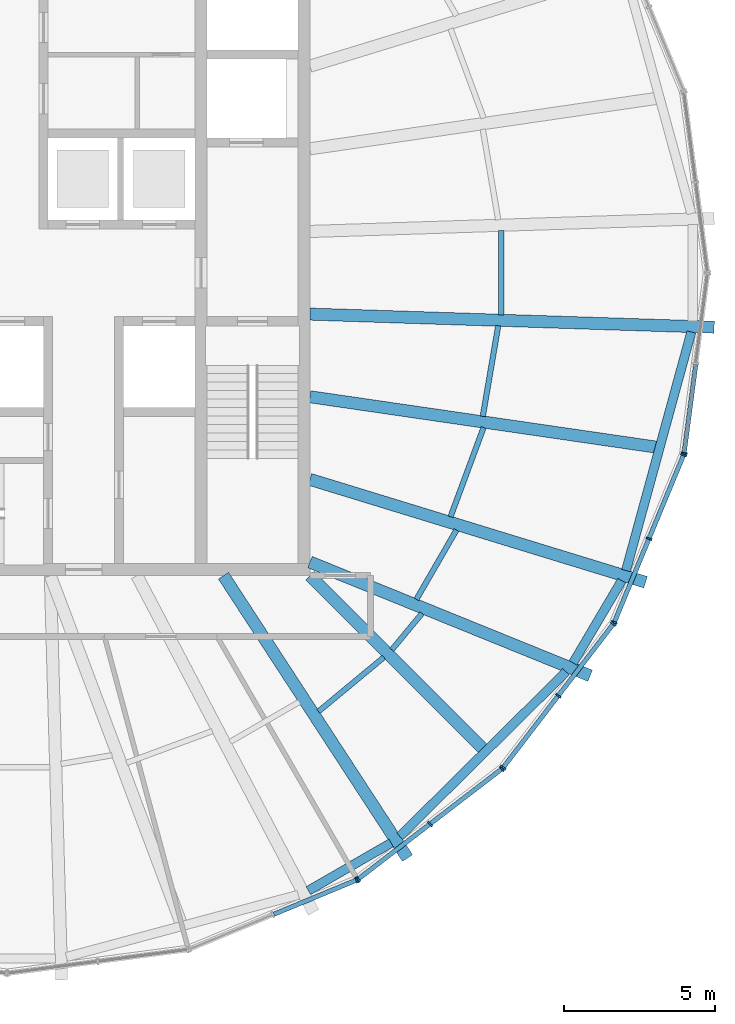
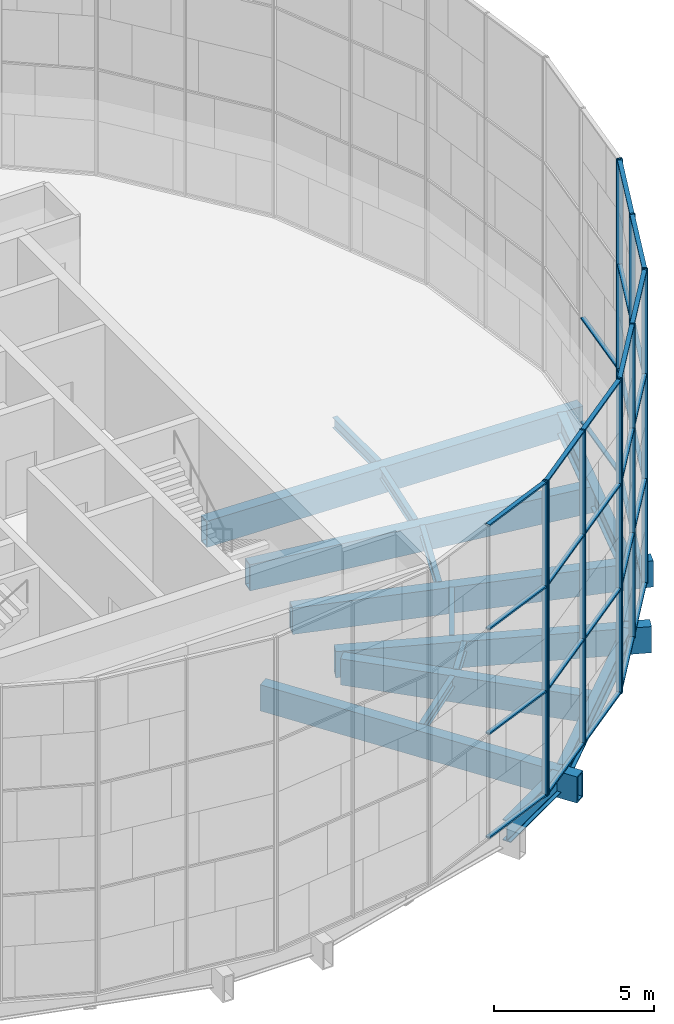
# One storey, part 4 of 23: 41 members, 16 beams, 5 elements without a shape of their own.
"""IFC4 building model written with IfcOpenShell, lengths in metres."""

from ifc_helpers import new_model, si_unit, direction, frame, origin, origin_2d, place, context, subcontext, project, spatial, rectangle, hollow_rectangle, i_section, extrude, material, material_profile, profile_set, type_object, element, aggregate, save


model = new_model("IFC4")

# Units and contexts
model_context = context("Model", 3, precision=1e-05, world=origin(), true_north=direction((0.0, 1.0)))
body_context = subcontext(model_context, "Body", "Model", "MODEL_VIEW")
ifc_project = project(units=[si_unit("LENGTHUNIT", "METRE"), si_unit("AREAUNIT", "SQUARE_METRE"), si_unit("VOLUMEUNIT", "CUBIC_METRE"), si_unit("PLANEANGLEUNIT", "RADIAN"), si_unit("MASSUNIT", "GRAM", prefix="KILO")], contexts=[model_context])

# Site, building, storey
site_placement = place(None, origin())
site = spatial("IfcSite", under=ifc_project, at=site_placement, CompositionType="ELEMENT")
building_placement = place(site_placement, origin())
building = spatial("IfcBuilding", under=site, at=building_placement, Name="Golbaran Civic Tower", CompositionType="ELEMENT")
storey_placement = place(building_placement, frame((0.0, 0.0, 220.0)))
storey = spatial("IfcBuildingStorey", under=building, at=storey_placement, Name="L53", CompositionType="ELEMENT", Elevation=220.0)

# Beams
ifc_material_1 = material(Name="Steel S355", Category="steel")
ifc_material_profile_1 = material_profile(ifc_material_1, i_section(OverallWidth=0.300048828125, OverallDepth=0.800048828125, WebThickness=0.017578125, FlangeThickness=0.032958984375, FilletRadius=0.030029296875, at=origin_2d()), Name="HEB 800")
ifc_profile_set_1 = profile_set([ifc_material_profile_1], Name="Steel S355")
beam_type_1 = type_object("IfcBeamType", Name="EDGE BEAM HEB 800", PredefinedType="BEAM", material=ifc_profile_set_1)
beam_1_placement = place(storey_placement, frame((9.946044921875, -20.39697265625, -0.60009765625), z_axis=(0.866234572261, 0.499637534438, 0.0), x_axis=(-0.499637534438, 0.866234572261, 0.0)))
element("IfcBeam", 1, at=beam_1_placement, inside=storey, type_object=beam_type_1, Name="Edge beam 295.65 L53", PredefinedType="BEAM", context=body_context, shape_type="SweptSolid", body=[
    extrude(i_section(OverallWidth=0.300048828125, OverallDepth=0.800048828125, WebThickness=0.017578125, FlangeThickness=0.032958984375, FilletRadius=0.030029296875, at=origin_2d()), origin(), (0.0, 0.0, 1.0), 3.152587890625),
])
beam_2_placement = place(storey_placement, frame((12.963623046875, -18.6025390625, -0.60009765625), z_axis=(0.710954638033, 0.703237870609, 0.0), x_axis=(-0.703237870609, 0.710954638033, 0.0)))
element("IfcBeam", 2, at=beam_2_placement, inside=storey, type_object=beam_type_1, Name="Edge beam 304.35 L53", PredefinedType="BEAM", context=body_context, shape_type="SweptSolid", body=[
    extrude(i_section(OverallWidth=0.300048828125, OverallDepth=0.800048828125, WebThickness=0.017578125, FlangeThickness=0.032958984375, FilletRadius=0.030029296875, at=origin_2d()), origin(), (0.0, 0.0, 1.0), 7.719482421875),
])
beam_3_placement = place(storey_placement, frame((18.683837890625, -12.87939453125, -0.60009765625), z_axis=(0.508797064338, 0.860886489219, 0.0), x_axis=(-0.860886489219, 0.508797064338, 0.0)))
element("IfcBeam", 3, at=beam_3_placement, inside=storey, type_object=beam_type_1, Name="Edge beam 325.65 L53", PredefinedType="BEAM", context=body_context, shape_type="SweptSolid", body=[
    extrude(i_section(OverallWidth=0.300048828125, OverallDepth=0.800048828125, WebThickness=0.017578125, FlangeThickness=0.032958984375, FilletRadius=0.030029296875, at=origin_2d()), origin(), (0.0, 0.0, 1.0), 3.156494140625),
])
beam_4_placement = place(storey_placement, frame((20.431640625, -9.8291015625, -0.60009765625), z_axis=(0.264038175498, 0.964512230031, 0.0), x_axis=(-0.964512230031, 0.264038175498, 0.0)))
element("IfcBeam", 4, at=beam_4_placement, inside=storey, type_object=beam_type_1, Name="Edge beam 334.35 L53", PredefinedType="BEAM", context=body_context, shape_type="SweptSolid", body=[
    extrude(i_section(OverallWidth=0.300048828125, OverallDepth=0.800048828125, WebThickness=0.017578125, FlangeThickness=0.032958984375, FilletRadius=0.030029296875, at=origin_2d()), origin(), (0.0, 0.0, 1.0), 8.16552734375),
])
ifc_material_profile_2 = material_profile(ifc_material_1, i_section(OverallWidth=0.179931640625, OverallDepth=0.39990234375, WebThickness=0.008544921875, FlangeThickness=0.013427734375, FilletRadius=0.02099609375, at=origin_2d()), Name="IPE 400")
ifc_profile_set_2 = profile_set([ifc_material_profile_2], Name="Steel S355")
beam_type_2 = type_object("IfcBeamType", Name="FLOOR INFILL BEAM IPE 400", PredefinedType="BEAM", material=ifc_profile_set_2)
beam_5_placement = place(storey_placement, frame((10.279296875, -14.483154296875, -0.39990234375), z_axis=(0.769689102047, 0.638418895546, 0.0), x_axis=(-0.638418895546, 0.769689102047, 0.0)))
element("IfcBeam", 5, at=beam_5_placement, inside=storey, type_object=beam_type_2, Name="Infill beam 309.67 L53", PredefinedType="BEAM", context=body_context, shape_type="SweptSolid", body=[
    extrude(i_section(OverallWidth=0.179931640625, OverallDepth=0.39990234375, WebThickness=0.008544921875, FlangeThickness=0.013427734375, FilletRadius=0.02099609375, at=origin_2d()), origin(), (0.0, 0.0, 1.0), 2.8046875),
])
beam_6_placement = place(storey_placement, frame((12.70068359375, -12.446044921875, -0.39990234375), z_axis=(0.638367510065, 0.769731720857, 0.0), x_axis=(-0.769731720857, 0.638367510065, 0.0)))
element("IfcBeam", 6, at=beam_6_placement, inside=storey, type_object=beam_type_2, Name="Infill beam 320.33 L53", PredefinedType="BEAM", context=body_context, shape_type="SweptSolid", body=[
    extrude(i_section(OverallWidth=0.179931640625, OverallDepth=0.39990234375, WebThickness=0.008544921875, FlangeThickness=0.013427734375, FilletRadius=0.02099609375, at=origin_2d()), origin(), (0.0, 0.0, 1.0), 1.56103515625),
])
beam_7_placement = place(storey_placement, frame((13.5126953125, -10.781005859375, -0.39990234375), z_axis=(0.500031469177, 0.866007234284, 0.0), x_axis=(-0.866007234284, 0.500031469177, 0.0)))
element("IfcBeam", 7, at=beam_7_placement, inside=storey, type_object=beam_type_2, Name="Infill beam 330.00 L53", PredefinedType="BEAM", context=body_context, shape_type="SweptSolid", body=[
    extrude(i_section(OverallWidth=0.179931640625, OverallDepth=0.39990234375, WebThickness=0.008544921875, FlangeThickness=0.013427734375, FilletRadius=0.02099609375, at=origin_2d()), origin(), (0.0, 0.0, 1.0), 2.644287109375),
])
beam_8_placement = place(storey_placement, frame((14.6396484375, -8.0546875, -0.39990234375), z_axis=(0.347364974804, 0.9377300114, 0.0), x_axis=(-0.9377300114, 0.347364974804, 0.0)))
element("IfcBeam", 8, at=beam_8_placement, inside=storey, type_object=beam_type_2, Name="Infill beam 339.67 L53", PredefinedType="BEAM", context=body_context, shape_type="SweptSolid", body=[
    extrude(i_section(OverallWidth=0.179931640625, OverallDepth=0.39990234375, WebThickness=0.008544921875, FlangeThickness=0.013427734375, FilletRadius=0.02099609375, at=origin_2d()), origin(), (0.0, 0.0, 1.0), 3.1416015625),
])
beam_9_placement = place(storey_placement, frame((15.703857421875, -4.740966796875, -0.39990234375), z_axis=(0.168046948827, 0.985778992975, 0.0), x_axis=(-0.985778992975, 0.168046948827, 0.0)))
element("IfcBeam", 9, at=beam_9_placement, inside=storey, type_object=beam_type_2, Name="Infill beam 350.33 L53", PredefinedType="BEAM", context=body_context, shape_type="SweptSolid", body=[
    extrude(i_section(OverallWidth=0.179931640625, OverallDepth=0.39990234375, WebThickness=0.008544921875, FlangeThickness=0.013427734375, FilletRadius=0.02099609375, at=origin_2d()), origin(), (0.0, 0.0, 1.0), 3.037841796875),
])
beam_10_placement = place(storey_placement, frame((16.318359375, -1.389404296875, -0.39990234375), z_axis=(0.0, 1.0, 0.0), x_axis=(-1.0, 0.0, 0.0)))
element("IfcBeam", 10, at=beam_10_placement, inside=storey, type_object=beam_type_2, Name="Infill beam 0.00 L53", PredefinedType="BEAM", context=body_context, shape_type="SweptSolid", body=[
    extrude(i_section(OverallWidth=0.179931640625, OverallDepth=0.39990234375, WebThickness=0.008544921875, FlangeThickness=0.013427734375, FilletRadius=0.02099609375, at=origin_2d()), origin(), (0.0, 0.0, 1.0), 2.77880859375),
])

# Curtain wall, member
ifc_material_2 = material(Name="Aluminium and glass", Category="aluminium")
curtain_wall_type = type_object("IfcCurtainWallType", Name="INNER SKIN CURTAIN WALL EXECUTIVE", PredefinedType="NOTDEFINED", material=ifc_material_2)
curtain_wall_1_placement = place(storey_placement, origin())
curtain_wall_1 = element("IfcCurtainWall", 11, at=curtain_wall_1_placement, inside=storey, type_object=curtain_wall_type, Name="Inner skin L53 facet 20 CW2", ObjectType="INNER SKIN", PredefinedType="USERDEFINED")
ifc_material_3 = material(Name="Aluminium", Category="aluminium")
ifc_material_profile_3 = material_profile(ifc_material_3, rectangle(XDim=0.199951171875, YDim=0.06005859375, at=origin_2d()), Name="INNER SKIN CURTAIN WALL EXECUTIVE MULLION")
ifc_profile_set_3 = profile_set([ifc_material_profile_3], Name="Aluminium")
member_type_1 = type_object("IfcMemberType", Name="INNER SKIN CURTAIN WALL EXECUTIVE MULLION", PredefinedType="MULLION", material=ifc_profile_set_3)
member_1_placement = place(storey_placement, frame((11.539306640625, -20.046142578125, 0.0), z_axis=(0.0, 0.0, 1.0), x_axis=(-0.382683432317, 0.923879532531, 0.0)))
member_1 = element("IfcMember", 12, at=member_1_placement, type_object=member_type_1, Name="CW2 mullion 3", PredefinedType="MULLION", context=body_context, shape_type="SweptSolid", body=[
    extrude(rectangle(XDim=0.199951171875, YDim=0.06005859375, at=origin_2d()), origin(), (0.0, 0.0, 1.0), 12.0),
])

# Curtain wall, members
curtain_wall_2_placement = place(storey_placement, origin())
curtain_wall_2 = element("IfcCurtainWall", 13, at=curtain_wall_2_placement, inside=storey, type_object=curtain_wall_type, Name="Inner skin L53 facet 21 CW2", ObjectType="INNER SKIN", PredefinedType="USERDEFINED")
member_2_placement = place(storey_placement, frame((11.5908203125, -20.016357421875, 0.0), z_axis=(0.0, 0.0, 1.0), x_axis=(-0.608761428981, 0.793353340312, 0.0)))
member_2 = element("IfcMember", 14, at=member_2_placement, type_object=member_type_1, Name="CW2 mullion 1", PredefinedType="MULLION", context=body_context, shape_type="SweptSolid", body=[
    extrude(rectangle(XDim=0.199951171875, YDim=0.06005859375, at=origin_2d()), origin(), (0.0, 0.0, 1.0), 12.0),
])
member_3_placement = place(storey_placement, frame((13.962646484375, -18.196533203125, 0.0), z_axis=(0.0, 0.0, 1.0), x_axis=(-0.608761428981, 0.793353340312, 0.0)))
member_3 = element("IfcMember", 15, at=member_3_placement, type_object=member_type_1, Name="CW2 mullion 2", PredefinedType="MULLION", context=body_context, shape_type="SweptSolid", body=[
    extrude(rectangle(XDim=0.199951171875, YDim=0.06005859375, at=origin_2d()), origin(), (0.0, 0.0, 1.0), 12.0),
])
member_4_placement = place(storey_placement, frame((16.33447265625, -16.37646484375, 0.0), z_axis=(0.0, 0.0, 1.0), x_axis=(-0.608761428981, 0.793353340312, 0.0)))
member_4 = element("IfcMember", 16, at=member_4_placement, type_object=member_type_1, Name="CW2 mullion 3", PredefinedType="MULLION", context=body_context, shape_type="SweptSolid", body=[
    extrude(rectangle(XDim=0.199951171875, YDim=0.06005859375, at=origin_2d()), origin(), (0.0, 0.0, 1.0), 12.0),
])

curtain_wall_3_placement = place(storey_placement, origin())
curtain_wall_3 = element("IfcCurtainWall", 17, at=curtain_wall_3_placement, inside=storey, type_object=curtain_wall_type, Name="Inner skin L53 facet 22 CW2", ObjectType="INNER SKIN", PredefinedType="USERDEFINED")
member_5_placement = place(storey_placement, frame((16.37646484375, -16.33447265625, 0.0), z_axis=(0.0, 0.0, 1.0), x_axis=(-0.793353340312, 0.608761428981, 0.0)))
member_5 = element("IfcMember", 18, at=member_5_placement, type_object=member_type_1, Name="CW2 mullion 1", PredefinedType="MULLION", context=body_context, shape_type="SweptSolid", body=[
    extrude(rectangle(XDim=0.199951171875, YDim=0.06005859375, at=origin_2d()), origin(), (0.0, 0.0, 1.0), 12.0),
])
member_6_placement = place(storey_placement, frame((18.196533203125, -13.962646484375, 0.0), z_axis=(0.0, 0.0, 1.0), x_axis=(-0.793353340312, 0.608761428981, 0.0)))
member_6 = element("IfcMember", 19, at=member_6_placement, type_object=member_type_1, Name="CW2 mullion 2", PredefinedType="MULLION", context=body_context, shape_type="SweptSolid", body=[
    extrude(rectangle(XDim=0.199951171875, YDim=0.06005859375, at=origin_2d()), origin(), (0.0, 0.0, 1.0), 12.0),
])
member_7_placement = place(storey_placement, frame((20.016357421875, -11.5908203125, 0.0), z_axis=(0.0, 0.0, 1.0), x_axis=(-0.793353340312, 0.608761428981, 0.0)))
member_7 = element("IfcMember", 20, at=member_7_placement, type_object=member_type_1, Name="CW2 mullion 3", PredefinedType="MULLION", context=body_context, shape_type="SweptSolid", body=[
    extrude(rectangle(XDim=0.199951171875, YDim=0.06005859375, at=origin_2d()), origin(), (0.0, 0.0, 1.0), 12.0),
])

curtain_wall_4_placement = place(storey_placement, origin())
curtain_wall_4 = element("IfcCurtainWall", 21, at=curtain_wall_4_placement, inside=storey, type_object=curtain_wall_type, Name="Inner skin L53 facet 23 CW2", ObjectType="INNER SKIN", PredefinedType="USERDEFINED")
member_8_placement = place(storey_placement, frame((20.046142578125, -11.539306640625, 0.0), z_axis=(0.0, 0.0, 1.0), x_axis=(-0.923879532531, 0.382683432317, 0.0)))
member_8 = element("IfcMember", 22, at=member_8_placement, type_object=member_type_1, Name="CW2 mullion 1", PredefinedType="MULLION", context=body_context, shape_type="SweptSolid", body=[
    extrude(rectangle(XDim=0.199951171875, YDim=0.06005859375, at=origin_2d()), origin(), (0.0, 0.0, 1.0), 12.0),
])
member_9_placement = place(storey_placement, frame((21.190185546875, -8.77734375, 0.0), z_axis=(0.0, 0.0, 1.0), x_axis=(-0.923879532531, 0.382683432317, 0.0)))
member_9 = element("IfcMember", 23, at=member_9_placement, type_object=member_type_1, Name="CW2 mullion 2", PredefinedType="MULLION", context=body_context, shape_type="SweptSolid", body=[
    extrude(rectangle(XDim=0.199951171875, YDim=0.06005859375, at=origin_2d()), origin(), (0.0, 0.0, 1.0), 12.0),
])
member_10_placement = place(storey_placement, frame((22.334228515625, -6.01513671875, 0.0), z_axis=(0.0, 0.0, 1.0), x_axis=(-0.923879532531, 0.382683432317, 0.0)))
member_10 = element("IfcMember", 24, at=member_10_placement, type_object=member_type_1, Name="CW2 mullion 3", PredefinedType="MULLION", context=body_context, shape_type="SweptSolid", body=[
    extrude(rectangle(XDim=0.199951171875, YDim=0.06005859375, at=origin_2d()), origin(), (0.0, 0.0, 1.0), 12.0),
])

# Curtain wall, member
curtain_wall_5_placement = place(storey_placement, origin())
curtain_wall_5 = element("IfcCurtainWall", 25, at=curtain_wall_5_placement, inside=storey, type_object=curtain_wall_type, Name="Inner skin L53 facet 24 CW2", ObjectType="INNER SKIN", PredefinedType="USERDEFINED")
member_11_placement = place(storey_placement, frame((22.349609375, -5.957763671875, 0.0), z_axis=(0.0, 0.0, 1.0), x_axis=(-0.991444861365, 0.130526192289, 0.0)))
member_11 = element("IfcMember", 26, at=member_11_placement, type_object=member_type_1, Name="CW2 mullion 1", PredefinedType="MULLION", context=body_context, shape_type="SweptSolid", body=[
    extrude(rectangle(XDim=0.199951171875, YDim=0.06005859375, at=origin_2d()), origin(), (0.0, 0.0, 1.0), 12.0),
])

# Member
ifc_material_profile_4 = material_profile(ifc_material_3, rectangle(XDim=0.14990234375, YDim=0.06005859375, at=origin_2d()), Name="INNER SKIN CURTAIN WALL EXECUTIVE TRANSOM")
ifc_profile_set_4 = profile_set([ifc_material_profile_4], Name="Aluminium")
member_type_2 = type_object("IfcMemberType", Name="INNER SKIN CURTAIN WALL EXECUTIVE TRANSOM", PredefinedType="USERDEFINED", material=ifc_profile_set_4)
member_12_placement = place(storey_placement, frame((8.804931640625, -21.1787109375, 0.030029296875), z_axis=(0.923878694324, 0.382685455921, 0.0), x_axis=(-0.382685455921, 0.923878694324, 0.0)))
member_12 = element("IfcMember", 27, at=member_12_placement, type_object=member_type_2, Name="CW2 transom 2.1", ObjectType="TRANSOM", PredefinedType="USERDEFINED", context=body_context, shape_type="SweptSolid", body=[
    extrude(rectangle(XDim=0.14990234375, YDim=0.06005859375, at=origin_2d()), origin(), (0.0, 0.0, 1.0), 2.929443359375),
])

member_13_placement = place(storey_placement, frame((8.804931640625, -21.1787109375, 4.0), z_axis=(0.923878694324, 0.382685455921, 0.0), x_axis=(-0.382685455921, 0.923878694324, 0.0)))
member_13 = element("IfcMember", 28, at=member_13_placement, type_object=member_type_2, Name="CW2 transom 2.2", ObjectType="TRANSOM", PredefinedType="USERDEFINED", context=body_context, shape_type="SweptSolid", body=[
    extrude(rectangle(XDim=0.14990234375, YDim=0.06005859375, at=origin_2d()), origin(), (0.0, 0.0, 1.0), 2.929443359375),
])

member_14_placement = place(storey_placement, frame((8.804931640625, -21.1787109375, 8.0), z_axis=(0.923878694324, 0.382685455921, 0.0), x_axis=(-0.382685455921, 0.923878694324, 0.0)))
member_14 = element("IfcMember", 29, at=member_14_placement, type_object=member_type_2, Name="CW2 transom 2.3", ObjectType="TRANSOM", PredefinedType="USERDEFINED", context=body_context, shape_type="SweptSolid", body=[
    extrude(rectangle(XDim=0.14990234375, YDim=0.06005859375, at=origin_2d()), origin(), (0.0, 0.0, 1.0), 2.929443359375),
])

member_15_placement = place(storey_placement, frame((8.804931640625, -21.1787109375, 11.969970703125), z_axis=(0.923878694324, 0.382685455921, 0.0), x_axis=(-0.382685455921, 0.923878694324, 0.0)))
member_15 = element("IfcMember", 30, at=member_15_placement, type_object=member_type_2, Name="CW2 transom 2.4", ObjectType="TRANSOM", PredefinedType="USERDEFINED", context=body_context, shape_type="SweptSolid", body=[
    extrude(rectangle(XDim=0.14990234375, YDim=0.06005859375, at=origin_2d()), origin(), (0.0, 0.0, 1.0), 2.929443359375),
])

aggregate(curtain_wall_1, [member_1, member_12, member_13, member_14, member_15])

member_16_placement = place(storey_placement, frame((11.614501953125, -19.998046875, 0.030029296875), z_axis=(0.793351445643, 0.608763898154, 0.0), x_axis=(-0.608763898154, 0.793351445643, 0.0)))
member_16 = element("IfcMember", 31, at=member_16_placement, type_object=member_type_2, Name="CW2 transom 1.1", ObjectType="TRANSOM", PredefinedType="USERDEFINED", context=body_context, shape_type="SweptSolid", body=[
    extrude(rectangle(XDim=0.14990234375, YDim=0.06005859375, at=origin_2d()), origin(), (0.0, 0.0, 1.0), 2.9296875),
])

member_17_placement = place(storey_placement, frame((11.614501953125, -19.998046875, 4.0), z_axis=(0.793351445643, 0.608763898154, 0.0), x_axis=(-0.608763898154, 0.793351445643, 0.0)))
member_17 = element("IfcMember", 32, at=member_17_placement, type_object=member_type_2, Name="CW2 transom 1.2", ObjectType="TRANSOM", PredefinedType="USERDEFINED", context=body_context, shape_type="SweptSolid", body=[
    extrude(rectangle(XDim=0.14990234375, YDim=0.06005859375, at=origin_2d()), origin(), (0.0, 0.0, 1.0), 2.9296875),
])

member_18_placement = place(storey_placement, frame((11.614501953125, -19.998046875, 8.0), z_axis=(0.793351445643, 0.608763898154, 0.0), x_axis=(-0.608763898154, 0.793351445643, 0.0)))
member_18 = element("IfcMember", 33, at=member_18_placement, type_object=member_type_2, Name="CW2 transom 1.3", ObjectType="TRANSOM", PredefinedType="USERDEFINED", context=body_context, shape_type="SweptSolid", body=[
    extrude(rectangle(XDim=0.14990234375, YDim=0.06005859375, at=origin_2d()), origin(), (0.0, 0.0, 1.0), 2.9296875),
])

member_19_placement = place(storey_placement, frame((11.614501953125, -19.998046875, 11.969970703125), z_axis=(0.793351445643, 0.608763898154, 0.0), x_axis=(-0.608763898154, 0.793351445643, 0.0)))
member_19 = element("IfcMember", 34, at=member_19_placement, type_object=member_type_2, Name="CW2 transom 1.4", ObjectType="TRANSOM", PredefinedType="USERDEFINED", context=body_context, shape_type="SweptSolid", body=[
    extrude(rectangle(XDim=0.14990234375, YDim=0.06005859375, at=origin_2d()), origin(), (0.0, 0.0, 1.0), 2.9296875),
])

member_20_placement = place(storey_placement, frame((13.986328125, -18.17822265625, 0.030029296875), z_axis=(0.793351445643, 0.608763898154, 0.0), x_axis=(-0.608763898154, 0.793351445643, 0.0)))
member_20 = element("IfcMember", 35, at=member_20_placement, type_object=member_type_2, Name="CW2 transom 2.1", ObjectType="TRANSOM", PredefinedType="USERDEFINED", context=body_context, shape_type="SweptSolid", body=[
    extrude(rectangle(XDim=0.14990234375, YDim=0.06005859375, at=origin_2d()), origin(), (0.0, 0.0, 1.0), 2.9296875),
])

member_21_placement = place(storey_placement, frame((13.986328125, -18.17822265625, 4.0), z_axis=(0.793351445643, 0.608763898154, 0.0), x_axis=(-0.608763898154, 0.793351445643, 0.0)))
member_21 = element("IfcMember", 36, at=member_21_placement, type_object=member_type_2, Name="CW2 transom 2.2", ObjectType="TRANSOM", PredefinedType="USERDEFINED", context=body_context, shape_type="SweptSolid", body=[
    extrude(rectangle(XDim=0.14990234375, YDim=0.06005859375, at=origin_2d()), origin(), (0.0, 0.0, 1.0), 2.9296875),
])

member_22_placement = place(storey_placement, frame((13.986328125, -18.17822265625, 8.0), z_axis=(0.793351445643, 0.608763898154, 0.0), x_axis=(-0.608763898154, 0.793351445643, 0.0)))
member_22 = element("IfcMember", 37, at=member_22_placement, type_object=member_type_2, Name="CW2 transom 2.3", ObjectType="TRANSOM", PredefinedType="USERDEFINED", context=body_context, shape_type="SweptSolid", body=[
    extrude(rectangle(XDim=0.14990234375, YDim=0.06005859375, at=origin_2d()), origin(), (0.0, 0.0, 1.0), 2.9296875),
])

member_23_placement = place(storey_placement, frame((13.986328125, -18.17822265625, 11.969970703125), z_axis=(0.793351445643, 0.608763898154, 0.0), x_axis=(-0.608763898154, 0.793351445643, 0.0)))
member_23 = element("IfcMember", 38, at=member_23_placement, type_object=member_type_2, Name="CW2 transom 2.4", ObjectType="TRANSOM", PredefinedType="USERDEFINED", context=body_context, shape_type="SweptSolid", body=[
    extrude(rectangle(XDim=0.14990234375, YDim=0.06005859375, at=origin_2d()), origin(), (0.0, 0.0, 1.0), 2.9296875),
])

aggregate(curtain_wall_2, [member_2, member_3, member_4, member_16, member_17, member_18, member_19, member_20, member_21, member_22, member_23])

member_24_placement = place(storey_placement, frame((16.394775390625, -16.310546875, 0.030029296875), z_axis=(0.608763898154, 0.793351445643, 0.0), x_axis=(-0.793351445643, 0.608763898154, 0.0)))
member_24 = element("IfcMember", 39, at=member_24_placement, type_object=member_type_2, Name="CW2 transom 1.1", ObjectType="TRANSOM", PredefinedType="USERDEFINED", context=body_context, shape_type="SweptSolid", body=[
    extrude(rectangle(XDim=0.14990234375, YDim=0.06005859375, at=origin_2d()), origin(), (0.0, 0.0, 1.0), 2.9296875),
])

member_25_placement = place(storey_placement, frame((16.394775390625, -16.310546875, 4.0), z_axis=(0.608763898154, 0.793351445643, 0.0), x_axis=(-0.793351445643, 0.608763898154, 0.0)))
member_25 = element("IfcMember", 40, at=member_25_placement, type_object=member_type_2, Name="CW2 transom 1.2", ObjectType="TRANSOM", PredefinedType="USERDEFINED", context=body_context, shape_type="SweptSolid", body=[
    extrude(rectangle(XDim=0.14990234375, YDim=0.06005859375, at=origin_2d()), origin(), (0.0, 0.0, 1.0), 2.9296875),
])

member_26_placement = place(storey_placement, frame((16.394775390625, -16.310546875, 8.0), z_axis=(0.608763898154, 0.793351445643, 0.0), x_axis=(-0.793351445643, 0.608763898154, 0.0)))
member_26 = element("IfcMember", 41, at=member_26_placement, type_object=member_type_2, Name="CW2 transom 1.3", ObjectType="TRANSOM", PredefinedType="USERDEFINED", context=body_context, shape_type="SweptSolid", body=[
    extrude(rectangle(XDim=0.14990234375, YDim=0.06005859375, at=origin_2d()), origin(), (0.0, 0.0, 1.0), 2.9296875),
])

member_27_placement = place(storey_placement, frame((16.394775390625, -16.310546875, 11.969970703125), z_axis=(0.608763898154, 0.793351445643, 0.0), x_axis=(-0.793351445643, 0.608763898154, 0.0)))
member_27 = element("IfcMember", 42, at=member_27_placement, type_object=member_type_2, Name="CW2 transom 1.4", ObjectType="TRANSOM", PredefinedType="USERDEFINED", context=body_context, shape_type="SweptSolid", body=[
    extrude(rectangle(XDim=0.14990234375, YDim=0.06005859375, at=origin_2d()), origin(), (0.0, 0.0, 1.0), 2.9296875),
])

member_28_placement = place(storey_placement, frame((18.214599609375, -13.938720703125, 0.030029296875), z_axis=(0.608763898154, 0.793351445643, 0.0), x_axis=(-0.793351445643, 0.608763898154, 0.0)))
member_28 = element("IfcMember", 43, at=member_28_placement, type_object=member_type_2, Name="CW2 transom 2.1", ObjectType="TRANSOM", PredefinedType="USERDEFINED", context=body_context, shape_type="SweptSolid", body=[
    extrude(rectangle(XDim=0.14990234375, YDim=0.06005859375, at=origin_2d()), origin(), (0.0, 0.0, 1.0), 2.9296875),
])

member_29_placement = place(storey_placement, frame((18.214599609375, -13.938720703125, 4.0), z_axis=(0.608763898154, 0.793351445643, 0.0), x_axis=(-0.793351445643, 0.608763898154, 0.0)))
member_29 = element("IfcMember", 44, at=member_29_placement, type_object=member_type_2, Name="CW2 transom 2.2", ObjectType="TRANSOM", PredefinedType="USERDEFINED", context=body_context, shape_type="SweptSolid", body=[
    extrude(rectangle(XDim=0.14990234375, YDim=0.06005859375, at=origin_2d()), origin(), (0.0, 0.0, 1.0), 2.9296875),
])

member_30_placement = place(storey_placement, frame((18.214599609375, -13.938720703125, 8.0), z_axis=(0.608763898154, 0.793351445643, 0.0), x_axis=(-0.793351445643, 0.608763898154, 0.0)))
member_30 = element("IfcMember", 45, at=member_30_placement, type_object=member_type_2, Name="CW2 transom 2.3", ObjectType="TRANSOM", PredefinedType="USERDEFINED", context=body_context, shape_type="SweptSolid", body=[
    extrude(rectangle(XDim=0.14990234375, YDim=0.06005859375, at=origin_2d()), origin(), (0.0, 0.0, 1.0), 2.9296875),
])

member_31_placement = place(storey_placement, frame((18.214599609375, -13.938720703125, 11.969970703125), z_axis=(0.608763898154, 0.793351445643, 0.0), x_axis=(-0.793351445643, 0.608763898154, 0.0)))
member_31 = element("IfcMember", 46, at=member_31_placement, type_object=member_type_2, Name="CW2 transom 2.4", ObjectType="TRANSOM", PredefinedType="USERDEFINED", context=body_context, shape_type="SweptSolid", body=[
    extrude(rectangle(XDim=0.14990234375, YDim=0.06005859375, at=origin_2d()), origin(), (0.0, 0.0, 1.0), 2.9296875),
])

aggregate(curtain_wall_3, [member_5, member_6, member_7, member_24, member_25, member_26, member_27, member_28, member_29, member_30, member_31])

member_32_placement = place(storey_placement, frame((20.0576171875, -11.511474609375, 0.030029296875), z_axis=(0.382685455921, 0.923878694324, 0.0), x_axis=(-0.923878694324, 0.382685455921, 0.0)))
member_32 = element("IfcMember", 47, at=member_32_placement, type_object=member_type_2, Name="CW2 transom 1.1", ObjectType="TRANSOM", PredefinedType="USERDEFINED", context=body_context, shape_type="SweptSolid", body=[
    extrude(rectangle(XDim=0.14990234375, YDim=0.06005859375, at=origin_2d()), origin(), (0.0, 0.0, 1.0), 2.929443359375),
])

member_33_placement = place(storey_placement, frame((20.0576171875, -11.511474609375, 4.0), z_axis=(0.382685455921, 0.923878694324, 0.0), x_axis=(-0.923878694324, 0.382685455921, 0.0)))
member_33 = element("IfcMember", 48, at=member_33_placement, type_object=member_type_2, Name="CW2 transom 1.2", ObjectType="TRANSOM", PredefinedType="USERDEFINED", context=body_context, shape_type="SweptSolid", body=[
    extrude(rectangle(XDim=0.14990234375, YDim=0.06005859375, at=origin_2d()), origin(), (0.0, 0.0, 1.0), 2.929443359375),
])

member_34_placement = place(storey_placement, frame((20.0576171875, -11.511474609375, 8.0), z_axis=(0.382685455921, 0.923878694324, 0.0), x_axis=(-0.923878694324, 0.382685455921, 0.0)))
member_34 = element("IfcMember", 49, at=member_34_placement, type_object=member_type_2, Name="CW2 transom 1.3", ObjectType="TRANSOM", PredefinedType="USERDEFINED", context=body_context, shape_type="SweptSolid", body=[
    extrude(rectangle(XDim=0.14990234375, YDim=0.06005859375, at=origin_2d()), origin(), (0.0, 0.0, 1.0), 2.929443359375),
])

member_35_placement = place(storey_placement, frame((20.0576171875, -11.511474609375, 11.969970703125), z_axis=(0.382685455921, 0.923878694324, 0.0), x_axis=(-0.923878694324, 0.382685455921, 0.0)))
member_35 = element("IfcMember", 50, at=member_35_placement, type_object=member_type_2, Name="CW2 transom 1.4", ObjectType="TRANSOM", PredefinedType="USERDEFINED", context=body_context, shape_type="SweptSolid", body=[
    extrude(rectangle(XDim=0.14990234375, YDim=0.06005859375, at=origin_2d()), origin(), (0.0, 0.0, 1.0), 2.929443359375),
])

member_36_placement = place(storey_placement, frame((21.20166015625, -8.74951171875, 0.030029296875), z_axis=(0.382685455921, 0.923878694324, 0.0), x_axis=(-0.923878694324, 0.382685455921, 0.0)))
member_36 = element("IfcMember", 51, at=member_36_placement, type_object=member_type_2, Name="CW2 transom 2.1", ObjectType="TRANSOM", PredefinedType="USERDEFINED", context=body_context, shape_type="SweptSolid", body=[
    extrude(rectangle(XDim=0.14990234375, YDim=0.06005859375, at=origin_2d()), origin(), (0.0, 0.0, 1.0), 2.929443359375),
])

member_37_placement = place(storey_placement, frame((21.20166015625, -8.74951171875, 4.0), z_axis=(0.382685455921, 0.923878694324, 0.0), x_axis=(-0.923878694324, 0.382685455921, 0.0)))
member_37 = element("IfcMember", 52, at=member_37_placement, type_object=member_type_2, Name="CW2 transom 2.2", ObjectType="TRANSOM", PredefinedType="USERDEFINED", context=body_context, shape_type="SweptSolid", body=[
    extrude(rectangle(XDim=0.14990234375, YDim=0.06005859375, at=origin_2d()), origin(), (0.0, 0.0, 1.0), 2.929443359375),
])

member_38_placement = place(storey_placement, frame((21.20166015625, -8.74951171875, 8.0), z_axis=(0.382685455921, 0.923878694324, 0.0), x_axis=(-0.923878694324, 0.382685455921, 0.0)))
member_38 = element("IfcMember", 53, at=member_38_placement, type_object=member_type_2, Name="CW2 transom 2.3", ObjectType="TRANSOM", PredefinedType="USERDEFINED", context=body_context, shape_type="SweptSolid", body=[
    extrude(rectangle(XDim=0.14990234375, YDim=0.06005859375, at=origin_2d()), origin(), (0.0, 0.0, 1.0), 2.929443359375),
])

member_39_placement = place(storey_placement, frame((21.20166015625, -8.74951171875, 11.969970703125), z_axis=(0.382685455921, 0.923878694324, 0.0), x_axis=(-0.923878694324, 0.382685455921, 0.0)))
member_39 = element("IfcMember", 54, at=member_39_placement, type_object=member_type_2, Name="CW2 transom 2.4", ObjectType="TRANSOM", PredefinedType="USERDEFINED", context=body_context, shape_type="SweptSolid", body=[
    extrude(rectangle(XDim=0.14990234375, YDim=0.06005859375, at=origin_2d()), origin(), (0.0, 0.0, 1.0), 2.929443359375),
])

aggregate(curtain_wall_4, [member_8, member_9, member_10, member_32, member_33, member_34, member_35, member_36, member_37, member_38, member_39])

member_40_placement = place(storey_placement, frame((22.353515625, -5.927978515625, 0.030029296875), z_axis=(0.130504094177, 0.991447770386, 0.0), x_axis=(-0.991447770386, 0.130504094177, 0.0)))
member_40 = element("IfcMember", 55, at=member_40_placement, type_object=member_type_2, Name="CW2 transom 1.1", ObjectType="TRANSOM", PredefinedType="USERDEFINED", context=body_context, shape_type="SweptSolid", body=[
    extrude(rectangle(XDim=0.14990234375, YDim=0.06005859375, at=origin_2d()), origin(), (0.0, 0.0, 1.0), 2.9296875),
])

member_41_placement = place(storey_placement, frame((22.353515625, -5.927978515625, 4.0), z_axis=(0.130504094177, 0.991447770386, 0.0), x_axis=(-0.991447770386, 0.130504094177, 0.0)))
member_41 = element("IfcMember", 56, at=member_41_placement, type_object=member_type_2, Name="CW2 transom 1.2", ObjectType="TRANSOM", PredefinedType="USERDEFINED", context=body_context, shape_type="SweptSolid", body=[
    extrude(rectangle(XDim=0.14990234375, YDim=0.06005859375, at=origin_2d()), origin(), (0.0, 0.0, 1.0), 2.9296875),
])

aggregate(curtain_wall_5, [member_11, member_40, member_41])

# Beams
ifc_material_profile_5 = material_profile(ifc_material_1, hollow_rectangle(XDim=0.39990234375, YDim=1.0, WallThickness=0.050048828125, at=origin_2d()), Name="BOX 1000x400x50")
ifc_profile_set_5 = profile_set([ifc_material_profile_5], Name="Steel S355")
beam_type_3 = type_object("IfcBeamType", Name="RADIAL FLOOR BEAM BOX 1000x400x50", PredefinedType="BEAM", material=ifc_profile_set_5)
beam_11_placement = place(storey_placement, frame((7.142822265625, -10.0, -0.7099609375), z_axis=(0.545967278319, -0.837806499739, 0.0), x_axis=(0.837806499739, 0.545967278319, 0.0)))
element("IfcBeam", 57, at=beam_11_placement, inside=storey, type_object=beam_type_3, Name="Radial beam 304.35 L53", PredefinedType="BEAM", context=body_context, shape_type="SweptSolid", body=[
    extrude(hollow_rectangle(XDim=0.39990234375, YDim=1.0, WallThickness=0.050048828125, at=origin_2d()), origin(), (0.0, 0.0, 1.0), 11.128662109375),
])
beam_12_placement = place(storey_placement, frame((10.0, -9.550048828125, -0.7099609375), z_axis=(0.926620006077, -0.375999154704, 0.0), x_axis=(0.375999154704, 0.926620006077, 0.0)))
element("IfcBeam", 58, at=beam_12_placement, inside=storey, type_object=beam_type_3, Name="Radial beam 325.65 L53", PredefinedType="BEAM", context=body_context, shape_type="SweptSolid", body=[
    extrude(hollow_rectangle(XDim=0.39990234375, YDim=1.0, WallThickness=0.050048828125, at=origin_2d()), origin(), (0.0, 0.0, 1.0), 9.982421875),
])
beam_13_placement = place(storey_placement, frame((10.0, -6.821533203125, -0.7099609375), z_axis=(0.956138192385, -0.29291595563, 0.0), x_axis=(0.29291595563, 0.956138192385, 0.0)))
element("IfcBeam", 59, at=beam_13_placement, inside=storey, type_object=beam_type_3, Name="Radial beam 334.35 L53", PredefinedType="BEAM", context=body_context, shape_type="SweptSolid", body=[
    extrude(hollow_rectangle(XDim=0.39990234375, YDim=1.0, WallThickness=0.050048828125, at=origin_2d()), origin(), (0.0, 0.0, 1.0), 11.587158203125),
])
beam_14_placement = place(storey_placement, frame((10.0, -1.3642578125, -0.7099609375), z_axis=(0.999472347928, -0.032481159581, 0.0), x_axis=(0.032481159581, 0.999472347928, 0.0)))
element("IfcBeam", 60, at=beam_14_placement, inside=storey, type_object=beam_type_3, Name="Radial beam 355.65 L53", PredefinedType="BEAM", context=body_context, shape_type="SweptSolid", body=[
    extrude(hollow_rectangle(XDim=0.39990234375, YDim=1.0, WallThickness=0.050048828125, at=origin_2d()), origin(), (0.0, 0.0, 1.0), 13.34912109375),
])
ifc_material_profile_6 = material_profile(ifc_material_1, hollow_rectangle(XDim=0.39990234375, YDim=1.0, WallThickness=0.0400390625, at=origin_2d()), Name="BOX 1000x400x40")
ifc_profile_set_6 = profile_set([ifc_material_profile_6], Name="Steel S355")
beam_type_4 = type_object("IfcBeamType", Name="SECONDARY FLOOR BEAM BOX 1000x400x40", PredefinedType="BEAM", material=ifc_profile_set_6)
beam_15_placement = place(storey_placement, frame((10.0, -10.0, -0.7099609375), z_axis=(0.707106781187, -0.707106781187, 0.0), x_axis=(0.707106781187, 0.707106781187, 0.0)))
element("IfcBeam", 61, at=beam_15_placement, inside=storey, type_object=beam_type_4, Name="Secondary beam 315.00 L53", PredefinedType="BEAM", context=body_context, shape_type="SweptSolid", body=[
    extrude(hollow_rectangle(XDim=0.39990234375, YDim=1.0, WallThickness=0.0400390625, at=origin_2d()), origin(), (0.0, 0.0, 1.0), 8.2001953125),
])
beam_16_placement = place(storey_placement, frame((10.0, -4.0927734375, -0.7099609375), z_axis=(0.989579445133, -0.14398792231, 0.0), x_axis=(0.14398792231, 0.989579445133, 0.0)))
element("IfcBeam", 62, at=beam_16_placement, inside=storey, type_object=beam_type_4, Name="Secondary beam 345.00 L53", PredefinedType="BEAM", context=body_context, shape_type="SweptSolid", body=[
    extrude(hollow_rectangle(XDim=0.39990234375, YDim=1.0, WallThickness=0.0400390625, at=origin_2d()), origin(), (0.0, 0.0, 1.0), 11.663818359375),
])

save(model, "model.ifc")
